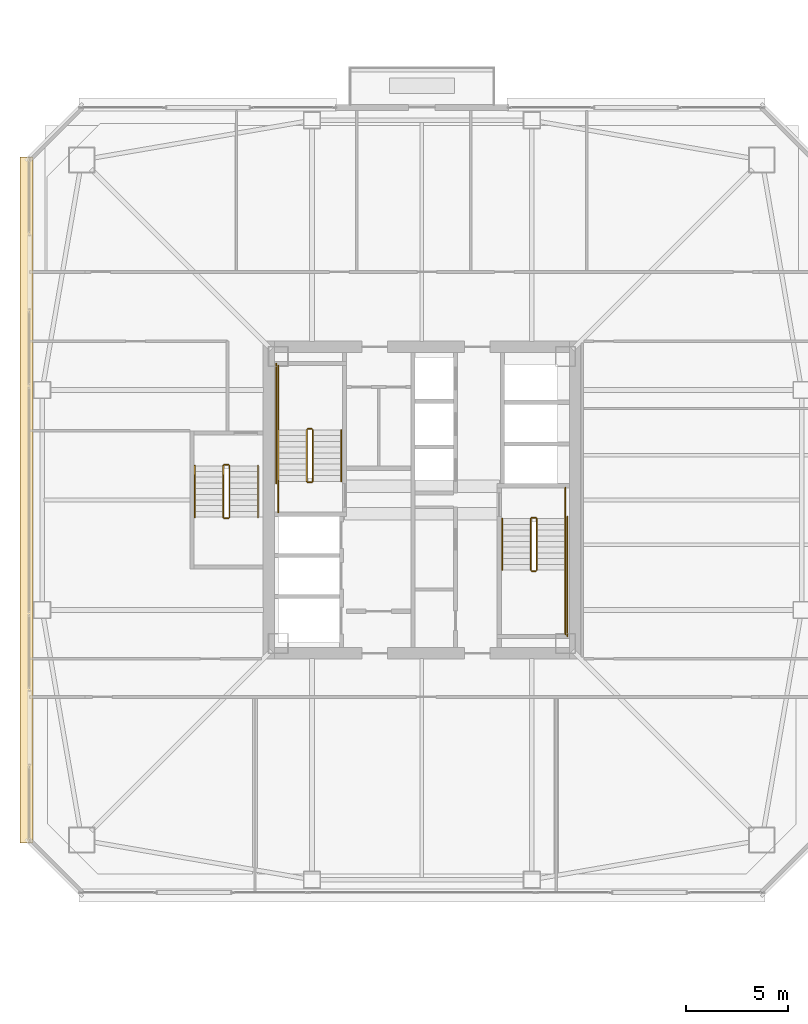
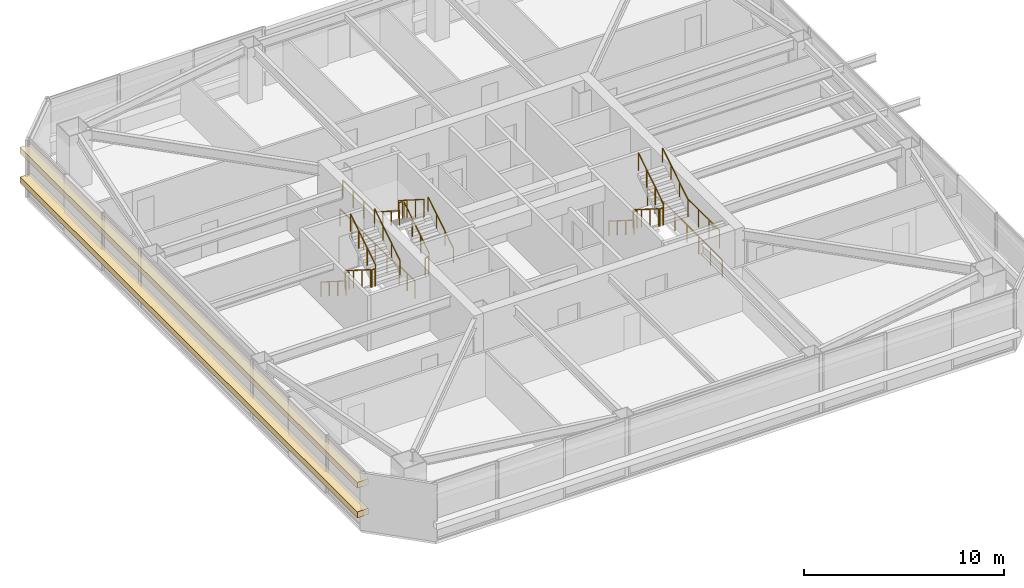
# One storey, part 43 of 46: 24 railings, 2 coverings.
"""IFC4 building model written with IfcOpenShell, lengths in metres."""

from ifc_helpers import new_model, si_unit, direction, frame, origin, origin_2d, place, context, subcontext, project, spatial, rectangle, extrude, material, layer, layer_set, type_object, element, save


model = new_model("IFC4")

# Units and contexts
model_context = context("Model", 3, precision=1e-05, world=origin(), true_north=direction((0.0, 1.0)))
body_context = subcontext(model_context, "Body", "Model", "MODEL_VIEW")
ifc_project = project(units=[si_unit("LENGTHUNIT", "METRE"), si_unit("AREAUNIT", "SQUARE_METRE"), si_unit("VOLUMEUNIT", "CUBIC_METRE"), si_unit("PLANEANGLEUNIT", "RADIAN"), si_unit("MASSUNIT", "GRAM", prefix="KILO")], contexts=[model_context])

# Site, building, storey
site_placement = place(None, origin())
site = spatial("IfcSite", under=ifc_project, at=site_placement, CompositionType="ELEMENT")
building_placement = place(site_placement, origin())
building = spatial("IfcBuilding", under=site, at=building_placement, Name="Tashvorn Skyway Center", CompositionType="ELEMENT")
storey_placement = place(building_placement, frame((0.0, 0.0, 139.25)))
storey = spatial("IfcBuildingStorey", under=building, at=storey_placement, Name="L37", CompositionType="ELEMENT", Elevation=139.25)

# Coverings
ifc_material_1 = material(Name="Perforated ceramic-coated bronze aluminium solar screen", Category="aluminium")
ifc_layer = layer(ifc_material_1, 0.85009765625)
ifc_layer_set = layer_set([ifc_layer], Name="Perforated ceramic-coated bronze aluminium solar screen")
covering_type = type_object("IfcCoveringType", Name="COV-SOLAR-BAND", PredefinedType="CLADDING", material=ifc_layer_set)
for number, where, z_axis, x_axis, name in (
    (1, (22.580078125, 32.0, 0.919921875), (0.0, 0.0, 1.0), (0.0, 1.0, 0.0), "L37 Perforated Ceramic-Metal Solar Screen Louvre Band West 1"),
    (2, (22.580078125, 32.0, 2.7197265625), (0.0, 0.0, 1.0), (0.0, 1.0, 0.0), "L37 Perforated Ceramic-Metal Solar Screen Louvre Band West 2"),
):
    element("IfcCovering", number, at=place(storey_placement, frame(where, z_axis=z_axis, x_axis=x_axis)), inside=storey, type_object=covering_type, Name=name, PredefinedType="CLADDING", context=body_context, shape_type="SweptSolid", body=[
        extrude(rectangle(XDim=33.679931640625, YDim=0.639892578125, at=origin_2d()), origin(), (0.0, 0.0, 1.0), 0.360107421875),
    ])

# Railings
ifc_material_2 = material(Name="Brushed stainless steel 316", Category="steel")
railing_type_1 = type_object("IfcRailingType", Name="RAIL-HAND-920", PredefinedType="HANDRAIL", material=ifc_material_2)
railing_1_placement = place(storey_placement, frame((38.050048828125, 32.919921875, 0.177490234375)))
element("IfcRailing", 3, at=railing_1_placement, inside=storey, type_object=railing_type_1, Name="L37 ST-T1-1 stair handrail 1", PredefinedType="HANDRAIL", context=body_context, shape_type="SweptSolid", body=[
    extrude(rectangle(XDim=0.048095703125, YDim=0.048095703125, at=origin_2d()), frame((0.0, 0.0, 0.8759765625), z_axis=(0.0, 0.84460694969, 0.535386869969), x_axis=(-1.0, 0.0, 0.0)), (0.0, 0.0, 1.0), 2.983642578125),
    extrude(rectangle(XDim=0.0419921875, YDim=0.0419921875, at=origin_2d()), origin(), (0.0, 0.0, 1.0), 0.851806640625),
    extrude(rectangle(XDim=0.0419921875, YDim=0.0419921875, at=origin_2d()), frame((0.0, 0.840087890625, 0.532470703125)), (0.0, 0.0, 1.0), 0.851806640625),
    extrude(rectangle(XDim=0.0419921875, YDim=0.0419921875, at=origin_2d()), frame((0.0, 1.679931640625, 1.06494140625)), (0.0, 0.0, 1.0), 0.851806640625),
    extrude(rectangle(XDim=0.0419921875, YDim=0.0419921875, at=origin_2d()), frame((0.0, 2.52001953125, 1.597412109375)), (0.0, 0.0, 1.0), 0.851806640625),
])
railing_2_placement = place(storey_placement, frame((34.949951171875, 35.43994140625, 1.952392578125)))
element("IfcRailing", 4, at=railing_2_placement, inside=storey, type_object=railing_type_1, Name="L37 ST-T1-1 stair handrail 2", PredefinedType="HANDRAIL", context=body_context, shape_type="SweptSolid", body=[
    extrude(rectangle(XDim=0.048095703125, YDim=0.048095703125, at=origin_2d()), frame((0.0, 0.0, 0.8759765625), z_axis=(0.0, -0.84456994832, 0.535445237532), x_axis=(1.0, 0.0, 0.0)), (0.0, 0.0, 1.0), 2.98388671875),
    extrude(rectangle(XDim=0.0419921875, YDim=0.0419921875, at=origin_2d()), origin(), (0.0, 0.0, 1.0), 0.851806640625),
    extrude(rectangle(XDim=0.0419921875, YDim=0.0419921875, at=origin_2d()), frame((0.0, -0.840087890625, 0.532470703125)), (0.0, 0.0, 1.0), 0.851806640625),
    extrude(rectangle(XDim=0.0419921875, YDim=0.0419921875, at=origin_2d()), frame((0.0, -1.679931640625, 1.065185546875)), (0.0, 0.0, 1.0), 0.851806640625),
    extrude(rectangle(XDim=0.0419921875, YDim=0.0419921875, at=origin_2d()), frame((0.0, -2.52001953125, 1.59765625)), (0.0, 0.0, 1.0), 0.851806640625),
])
railing_3_placement = place(storey_placement, frame((45.949951171875, 31.080078125, 0.177490234375)))
element("IfcRailing", 5, at=railing_3_placement, inside=storey, type_object=railing_type_1, Name="L37 ST-T1-2 stair handrail 1", PredefinedType="HANDRAIL", context=body_context, shape_type="SweptSolid", body=[
    extrude(rectangle(XDim=0.048095703125, YDim=0.048095703125, at=origin_2d()), frame((0.0, 0.0, 0.8759765625), z_axis=(0.0, -0.84460694969, 0.535386869969), x_axis=(1.0, 0.0, 0.0)), (0.0, 0.0, 1.0), 2.983642578125),
    extrude(rectangle(XDim=0.0419921875, YDim=0.0419921875, at=origin_2d()), origin(), (0.0, 0.0, 1.0), 0.851806640625),
    extrude(rectangle(XDim=0.0419921875, YDim=0.0419921875, at=origin_2d()), frame((0.0, -0.840087890625, 0.532470703125)), (0.0, 0.0, 1.0), 0.851806640625),
    extrude(rectangle(XDim=0.0419921875, YDim=0.0419921875, at=origin_2d()), frame((0.0, -1.679931640625, 1.06494140625)), (0.0, 0.0, 1.0), 0.851806640625),
    extrude(rectangle(XDim=0.0419921875, YDim=0.0419921875, at=origin_2d()), frame((0.0, -2.52001953125, 1.597412109375)), (0.0, 0.0, 1.0), 0.851806640625),
])
railing_4_placement = place(storey_placement, frame((49.050048828125, 28.56005859375, 1.952392578125)))
element("IfcRailing", 6, at=railing_4_placement, inside=storey, type_object=railing_type_1, Name="L37 ST-T1-2 stair handrail 2", PredefinedType="HANDRAIL", context=body_context, shape_type="SweptSolid", body=[
    extrude(rectangle(XDim=0.048095703125, YDim=0.048095703125, at=origin_2d()), frame((0.0, 0.0, 0.8759765625), z_axis=(0.0, 0.84456994832, 0.535445237532), x_axis=(-1.0, 0.0, 0.0)), (0.0, 0.0, 1.0), 2.98388671875),
    extrude(rectangle(XDim=0.0419921875, YDim=0.0419921875, at=origin_2d()), origin(), (0.0, 0.0, 1.0), 0.851806640625),
    extrude(rectangle(XDim=0.0419921875, YDim=0.0419921875, at=origin_2d()), frame((0.0, 0.840087890625, 0.532470703125)), (0.0, 0.0, 1.0), 0.851806640625),
    extrude(rectangle(XDim=0.0419921875, YDim=0.0419921875, at=origin_2d()), frame((0.0, 1.679931640625, 1.065185546875)), (0.0, 0.0, 1.0), 0.851806640625),
    extrude(rectangle(XDim=0.0419921875, YDim=0.0419921875, at=origin_2d()), frame((0.0, 2.52001953125, 1.59765625)), (0.0, 0.0, 1.0), 0.851806640625),
])
railing_5_placement = place(storey_placement, frame((30.85009765625, 33.679931640625, 0.177490234375)))
element("IfcRailing", 7, at=railing_5_placement, inside=storey, type_object=railing_type_1, Name="L37 ST-T1-3 stair handrail 1", PredefinedType="HANDRAIL", context=body_context, shape_type="SweptSolid", body=[
    extrude(rectangle(XDim=0.048095703125, YDim=0.048095703125, at=origin_2d()), frame((0.0, 0.0, 0.8759765625), z_axis=(0.0, -0.84460694969, 0.535386869969), x_axis=(1.0, 0.0, 0.0)), (0.0, 0.0, 1.0), 2.983642578125),
    extrude(rectangle(XDim=0.0419921875, YDim=0.0419921875, at=origin_2d()), origin(), (0.0, 0.0, 1.0), 0.851806640625),
    extrude(rectangle(XDim=0.0419921875, YDim=0.0419921875, at=origin_2d()), frame((0.0, -0.840087890625, 0.532470703125)), (0.0, 0.0, 1.0), 0.851806640625),
    extrude(rectangle(XDim=0.0419921875, YDim=0.0419921875, at=origin_2d()), frame((0.0, -1.679931640625, 1.06494140625)), (0.0, 0.0, 1.0), 0.851806640625),
    extrude(rectangle(XDim=0.0419921875, YDim=0.0419921875, at=origin_2d()), frame((0.0, -2.52001953125, 1.597412109375)), (0.0, 0.0, 1.0), 0.851806640625),
])
railing_6_placement = place(storey_placement, frame((33.949951171875, 31.159912109375, 1.952392578125)))
element("IfcRailing", 8, at=railing_6_placement, inside=storey, type_object=railing_type_1, Name="L37 ST-T1-3 stair handrail 2", PredefinedType="HANDRAIL", context=body_context, shape_type="SweptSolid", body=[
    extrude(rectangle(XDim=0.048095703125, YDim=0.048095703125, at=origin_2d()), frame((0.0, 0.0, 0.8759765625), z_axis=(0.0, 0.84456994832, 0.535445237532), x_axis=(-1.0, 0.0, 0.0)), (0.0, 0.0, 1.0), 2.98388671875),
    extrude(rectangle(XDim=0.0419921875, YDim=0.0419921875, at=origin_2d()), origin(), (0.0, 0.0, 1.0), 0.851806640625),
    extrude(rectangle(XDim=0.0419921875, YDim=0.0419921875, at=origin_2d()), frame((0.0, 0.840087890625, 0.532470703125)), (0.0, 0.0, 1.0), 0.851806640625),
    extrude(rectangle(XDim=0.0419921875, YDim=0.0419921875, at=origin_2d()), frame((0.0, 1.679931640625, 1.065185546875)), (0.0, 0.0, 1.0), 0.851806640625),
    extrude(rectangle(XDim=0.0419921875, YDim=0.0419921875, at=origin_2d()), frame((0.0, 2.52001953125, 1.59765625)), (0.0, 0.0, 1.0), 0.851806640625),
])
ifc_material_3 = material(Name="Painted galvanized steel S355", Category="steel")
railing_type_2 = type_object("IfcRailingType", Name="RAIL-STGUARD-1100", PredefinedType="GUARDRAIL", material=ifc_material_3)
railing_7_placement = place(storey_placement, frame((36.64990234375, 32.919921875, 0.177490234375)))
element("IfcRailing", 9, at=railing_7_placement, inside=storey, type_object=railing_type_2, Name="L37 ST-T1-1 stair guard 1", PredefinedType="GUARDRAIL", context=body_context, shape_type="SweptSolid", body=[
    extrude(rectangle(XDim=0.048095703125, YDim=0.048095703125, at=origin_2d()), frame((0.0, 0.0, 1.076171875), z_axis=(0.0, 0.84460694969, 0.535386869969), x_axis=(-1.0, 0.0, 0.0)), (0.0, 0.0, 1.0), 2.983642578125),
    extrude(rectangle(XDim=0.0419921875, YDim=0.0419921875, at=origin_2d()), origin(), (0.0, 0.0, 1.0), 1.052001953125),
    extrude(rectangle(XDim=0.0419921875, YDim=0.0419921875, at=origin_2d()), frame((0.0, 0.840087890625, 0.532470703125)), (0.0, 0.0, 1.0), 1.052001953125),
    extrude(rectangle(XDim=0.0419921875, YDim=0.0419921875, at=origin_2d()), frame((0.0, 1.679931640625, 1.06494140625)), (0.0, 0.0, 1.0), 1.052001953125),
    extrude(rectangle(XDim=0.0419921875, YDim=0.0419921875, at=origin_2d()), frame((0.0, 2.52001953125, 1.597412109375)), (0.0, 0.0, 1.0), 1.052001953125),
])
railing_8_placement = place(storey_placement, frame((36.60009765625, 35.489990234375, 1.77490234375)))
element("IfcRailing", 10, at=railing_8_placement, inside=storey, type_object=railing_type_2, Name="L37 ST-T1-1 stair guard 2", PredefinedType="GUARDRAIL", context=body_context, shape_type="SweptSolid", body=[
    extrude(rectangle(XDim=0.048095703125, YDim=0.048095703125, at=origin_2d()), frame((0.0, 0.0, 1.076171875), z_axis=(-1.0, 0.0, 0.0), x_axis=(0.0, -1.0, 0.0)), (0.0, 0.0, 1.0), 0.2001953125),
    extrude(rectangle(XDim=0.0419921875, YDim=0.0419921875, at=origin_2d()), origin(), (0.0, 0.0, 1.0), 1.052001953125),
    extrude(rectangle(XDim=0.0419921875, YDim=0.0419921875, at=origin_2d()), frame((-0.2001953125, 0.0, 0.0)), (0.0, 0.0, 1.0), 1.052001953125),
])
railing_9_placement = place(storey_placement, frame((34.949951171875, 35.43994140625, 1.77490234375)))
element("IfcRailing", 11, at=railing_9_placement, inside=storey, type_object=railing_type_2, Name="L37 ST-T1-1 stair guard 3", PredefinedType="GUARDRAIL", context=body_context, shape_type="SweptSolid", body=[
    extrude(rectangle(XDim=0.048095703125, YDim=0.048095703125, at=origin_2d()), frame((0.0, 0.0, 1.076171875), z_axis=(0.0, 1.0, 0.0), x_axis=(-1.0, 0.0, 0.0)), (0.0, 0.0, 1.0), 3.16015625),
    extrude(rectangle(XDim=0.0419921875, YDim=0.0419921875, at=origin_2d()), origin(), (0.0, 0.0, 1.0), 1.052001953125),
    extrude(rectangle(XDim=0.0419921875, YDim=0.0419921875, at=origin_2d()), frame((0.0, 1.053466796875, 0.0)), (0.0, 0.0, 1.0), 1.052001953125),
    extrude(rectangle(XDim=0.0419921875, YDim=0.0419921875, at=origin_2d()), frame((0.0, 2.106689453125, 0.0)), (0.0, 0.0, 1.0), 1.052001953125),
    extrude(rectangle(XDim=0.0419921875, YDim=0.0419921875, at=origin_2d()), frame((0.0, 3.16015625, 0.0)), (0.0, 0.0, 1.0), 1.052001953125),
])
railing_10_placement = place(storey_placement, frame((36.35009765625, 35.43994140625, 1.952392578125)))
element("IfcRailing", 12, at=railing_10_placement, inside=storey, type_object=railing_type_2, Name="L37 ST-T1-1 stair guard 4", PredefinedType="GUARDRAIL", context=body_context, shape_type="SweptSolid", body=[
    extrude(rectangle(XDim=0.048095703125, YDim=0.048095703125, at=origin_2d()), frame((0.0, 0.0, 1.076171875), z_axis=(0.0, -0.84456994832, 0.535445237532), x_axis=(1.0, 0.0, 0.0)), (0.0, 0.0, 1.0), 2.98388671875),
    extrude(rectangle(XDim=0.0419921875, YDim=0.0419921875, at=origin_2d()), origin(), (0.0, 0.0, 1.0), 1.052001953125),
    extrude(rectangle(XDim=0.0419921875, YDim=0.0419921875, at=origin_2d()), frame((0.0, -0.840087890625, 0.532470703125)), (0.0, 0.0, 1.0), 1.052001953125),
    extrude(rectangle(XDim=0.0419921875, YDim=0.0419921875, at=origin_2d()), frame((0.0, -1.679931640625, 1.065185546875)), (0.0, 0.0, 1.0), 1.052001953125),
    extrude(rectangle(XDim=0.0419921875, YDim=0.0419921875, at=origin_2d()), frame((0.0, -2.52001953125, 1.59765625)), (0.0, 0.0, 1.0), 1.052001953125),
])
railing_11_placement = place(storey_placement, frame((36.60009765625, 32.8701171875, 0.0)))
element("IfcRailing", 13, at=railing_11_placement, inside=storey, type_object=railing_type_2, Name="L37 ST-T1-1 stair guard 5", PredefinedType="GUARDRAIL", context=body_context, shape_type="SweptSolid", body=[
    extrude(rectangle(XDim=0.048095703125, YDim=0.048095703125, at=origin_2d()), frame((0.0, 0.0, 1.076171875), z_axis=(-1.0, 0.0, 0.0), x_axis=(0.0, -1.0, 0.0)), (0.0, 0.0, 1.0), 0.2001953125),
    extrude(rectangle(XDim=0.0419921875, YDim=0.0419921875, at=origin_2d()), origin(), (0.0, 0.0, 1.0), 1.052001953125),
    extrude(rectangle(XDim=0.0419921875, YDim=0.0419921875, at=origin_2d()), frame((-0.2001953125, 0.0, 0.0)), (0.0, 0.0, 1.0), 1.052001953125),
])
railing_12_placement = place(storey_placement, frame((34.949951171875, 31.39990234375, 0.0)))
element("IfcRailing", 14, at=railing_12_placement, inside=storey, type_object=railing_type_2, Name="L37 ST-T1-1 stair guard 6", PredefinedType="GUARDRAIL", context=body_context, shape_type="SweptSolid", body=[
    extrude(rectangle(XDim=0.048095703125, YDim=0.048095703125, at=origin_2d()), frame((0.0, 0.0, 1.076171875), z_axis=(0.0, 1.0, 0.0), x_axis=(-1.0, 0.0, 0.0)), (0.0, 0.0, 1.0), 1.52001953125),
    extrude(rectangle(XDim=0.0419921875, YDim=0.0419921875, at=origin_2d()), origin(), (0.0, 0.0, 1.0), 1.052001953125),
    extrude(rectangle(XDim=0.0419921875, YDim=0.0419921875, at=origin_2d()), frame((0.0, 0.760009765625, 0.0)), (0.0, 0.0, 1.0), 1.052001953125),
    extrude(rectangle(XDim=0.0419921875, YDim=0.0419921875, at=origin_2d()), frame((0.0, 1.52001953125, 0.0)), (0.0, 0.0, 1.0), 1.052001953125),
])
railing_13_placement = place(storey_placement, frame((34.85009765625, 32.820068359375, 0.0)))
element("IfcRailing", 15, at=railing_13_placement, inside=storey, type_object=railing_type_2, Name="L37 ST-T1-1 stair guard 7", PredefinedType="GUARDRAIL", context=body_context, shape_type="SweptSolid", body=[
    extrude(rectangle(XDim=0.048095703125, YDim=0.048095703125, at=origin_2d()), frame((0.0, 0.0, 1.076171875), z_axis=(0.0, 1.0, 0.0), x_axis=(-1.0, 0.0, 0.0)), (0.0, 0.0, 1.0), 5.8798828125),
    extrude(rectangle(XDim=0.0419921875, YDim=0.0419921875, at=origin_2d()), origin(), (0.0, 0.0, 1.0), 1.052001953125),
    extrude(rectangle(XDim=0.0419921875, YDim=0.0419921875, at=origin_2d()), frame((0.0, 1.176025390625, 0.0)), (0.0, 0.0, 1.0), 1.052001953125),
    extrude(rectangle(XDim=0.0419921875, YDim=0.0419921875, at=origin_2d()), frame((0.0, 2.35205078125, 0.0)), (0.0, 0.0, 1.0), 1.052001953125),
    extrude(rectangle(XDim=0.0419921875, YDim=0.0419921875, at=origin_2d()), frame((0.0, 3.52783203125, 0.0)), (0.0, 0.0, 1.0), 1.052001953125),
    extrude(rectangle(XDim=0.0419921875, YDim=0.0419921875, at=origin_2d()), frame((0.0, 4.703857421875, 0.0)), (0.0, 0.0, 1.0), 1.052001953125),
    extrude(rectangle(XDim=0.0419921875, YDim=0.0419921875, at=origin_2d()), frame((0.0, 5.8798828125, 0.0)), (0.0, 0.0, 1.0), 1.052001953125),
])
railing_14_placement = place(storey_placement, frame((47.35009765625, 31.080078125, 0.177490234375)))
element("IfcRailing", 16, at=railing_14_placement, inside=storey, type_object=railing_type_2, Name="L37 ST-T1-2 stair guard 1", PredefinedType="GUARDRAIL", context=body_context, shape_type="SweptSolid", body=[
    extrude(rectangle(XDim=0.048095703125, YDim=0.048095703125, at=origin_2d()), frame((0.0, 0.0, 1.076171875), z_axis=(0.0, -0.84460694969, 0.535386869969), x_axis=(1.0, 0.0, 0.0)), (0.0, 0.0, 1.0), 2.983642578125),
    extrude(rectangle(XDim=0.0419921875, YDim=0.0419921875, at=origin_2d()), origin(), (0.0, 0.0, 1.0), 1.052001953125),
    extrude(rectangle(XDim=0.0419921875, YDim=0.0419921875, at=origin_2d()), frame((0.0, -0.840087890625, 0.532470703125)), (0.0, 0.0, 1.0), 1.052001953125),
    extrude(rectangle(XDim=0.0419921875, YDim=0.0419921875, at=origin_2d()), frame((0.0, -1.679931640625, 1.06494140625)), (0.0, 0.0, 1.0), 1.052001953125),
    extrude(rectangle(XDim=0.0419921875, YDim=0.0419921875, at=origin_2d()), frame((0.0, -2.52001953125, 1.597412109375)), (0.0, 0.0, 1.0), 1.052001953125),
])
railing_15_placement = place(storey_placement, frame((47.39990234375, 28.510009765625, 1.77490234375)))
element("IfcRailing", 17, at=railing_15_placement, inside=storey, type_object=railing_type_2, Name="L37 ST-T1-2 stair guard 2", PredefinedType="GUARDRAIL", context=body_context, shape_type="SweptSolid", body=[
    extrude(rectangle(XDim=0.048095703125, YDim=0.048095703125, at=origin_2d()), frame((0.0, 0.0, 1.076171875), z_axis=(1.0, 0.0, 0.0), x_axis=(0.0, 1.0, 0.0)), (0.0, 0.0, 1.0), 0.2001953125),
    extrude(rectangle(XDim=0.0419921875, YDim=0.0419921875, at=origin_2d()), origin(), (0.0, 0.0, 1.0), 1.052001953125),
    extrude(rectangle(XDim=0.0419921875, YDim=0.0419921875, at=origin_2d()), frame((0.2001953125, 0.0, 0.0)), (0.0, 0.0, 1.0), 1.052001953125),
])
railing_16_placement = place(storey_placement, frame((49.050048828125, 28.56005859375, 1.77490234375)))
element("IfcRailing", 18, at=railing_16_placement, inside=storey, type_object=railing_type_2, Name="L37 ST-T1-2 stair guard 3", PredefinedType="GUARDRAIL", context=body_context, shape_type="SweptSolid", body=[
    extrude(rectangle(XDim=0.048095703125, YDim=0.048095703125, at=origin_2d()), frame((0.0, 0.0, 1.076171875), z_axis=(0.0, -1.0, 0.0), x_axis=(1.0, 0.0, 0.0)), (0.0, 0.0, 1.0), 3.16015625),
    extrude(rectangle(XDim=0.0419921875, YDim=0.0419921875, at=origin_2d()), origin(), (0.0, 0.0, 1.0), 1.052001953125),
    extrude(rectangle(XDim=0.0419921875, YDim=0.0419921875, at=origin_2d()), frame((0.0, -1.053466796875, 0.0)), (0.0, 0.0, 1.0), 1.052001953125),
    extrude(rectangle(XDim=0.0419921875, YDim=0.0419921875, at=origin_2d()), frame((0.0, -2.106689453125, 0.0)), (0.0, 0.0, 1.0), 1.052001953125),
    extrude(rectangle(XDim=0.0419921875, YDim=0.0419921875, at=origin_2d()), frame((0.0, -3.16015625, 0.0)), (0.0, 0.0, 1.0), 1.052001953125),
])
railing_17_placement = place(storey_placement, frame((47.64990234375, 28.56005859375, 1.952392578125)))
element("IfcRailing", 19, at=railing_17_placement, inside=storey, type_object=railing_type_2, Name="L37 ST-T1-2 stair guard 4", PredefinedType="GUARDRAIL", context=body_context, shape_type="SweptSolid", body=[
    extrude(rectangle(XDim=0.048095703125, YDim=0.048095703125, at=origin_2d()), frame((0.0, 0.0, 1.076171875), z_axis=(0.0, 0.84456994832, 0.535445237532), x_axis=(-1.0, 0.0, 0.0)), (0.0, 0.0, 1.0), 2.98388671875),
    extrude(rectangle(XDim=0.0419921875, YDim=0.0419921875, at=origin_2d()), origin(), (0.0, 0.0, 1.0), 1.052001953125),
    extrude(rectangle(XDim=0.0419921875, YDim=0.0419921875, at=origin_2d()), frame((0.0, 0.840087890625, 0.532470703125)), (0.0, 0.0, 1.0), 1.052001953125),
    extrude(rectangle(XDim=0.0419921875, YDim=0.0419921875, at=origin_2d()), frame((0.0, 1.679931640625, 1.065185546875)), (0.0, 0.0, 1.0), 1.052001953125),
    extrude(rectangle(XDim=0.0419921875, YDim=0.0419921875, at=origin_2d()), frame((0.0, 2.52001953125, 1.59765625)), (0.0, 0.0, 1.0), 1.052001953125),
])
railing_18_placement = place(storey_placement, frame((47.39990234375, 31.1298828125, 0.0)))
element("IfcRailing", 20, at=railing_18_placement, inside=storey, type_object=railing_type_2, Name="L37 ST-T1-2 stair guard 5", PredefinedType="GUARDRAIL", context=body_context, shape_type="SweptSolid", body=[
    extrude(rectangle(XDim=0.048095703125, YDim=0.048095703125, at=origin_2d()), frame((0.0, 0.0, 1.076171875), z_axis=(1.0, 0.0, 0.0), x_axis=(0.0, 1.0, 0.0)), (0.0, 0.0, 1.0), 0.2001953125),
    extrude(rectangle(XDim=0.0419921875, YDim=0.0419921875, at=origin_2d()), origin(), (0.0, 0.0, 1.0), 1.052001953125),
    extrude(rectangle(XDim=0.0419921875, YDim=0.0419921875, at=origin_2d()), frame((0.2001953125, 0.0, 0.0)), (0.0, 0.0, 1.0), 1.052001953125),
])
railing_19_placement = place(storey_placement, frame((49.050048828125, 32.60009765625, 0.0)))
element("IfcRailing", 21, at=railing_19_placement, inside=storey, type_object=railing_type_2, Name="L37 ST-T1-2 stair guard 6", PredefinedType="GUARDRAIL", context=body_context, shape_type="SweptSolid", body=[
    extrude(rectangle(XDim=0.048095703125, YDim=0.048095703125, at=origin_2d()), frame((0.0, 0.0, 1.076171875), z_axis=(0.0, -1.0, 0.0), x_axis=(1.0, 0.0, 0.0)), (0.0, 0.0, 1.0), 1.52001953125),
    extrude(rectangle(XDim=0.0419921875, YDim=0.0419921875, at=origin_2d()), origin(), (0.0, 0.0, 1.0), 1.052001953125),
    extrude(rectangle(XDim=0.0419921875, YDim=0.0419921875, at=origin_2d()), frame((0.0, -0.760009765625, 0.0)), (0.0, 0.0, 1.0), 1.052001953125),
    extrude(rectangle(XDim=0.0419921875, YDim=0.0419921875, at=origin_2d()), frame((0.0, -1.52001953125, 0.0)), (0.0, 0.0, 1.0), 1.052001953125),
])
railing_20_placement = place(storey_placement, frame((49.14990234375, 31.179931640625, 0.0)))
element("IfcRailing", 22, at=railing_20_placement, inside=storey, type_object=railing_type_2, Name="L37 ST-T1-2 stair guard 7", PredefinedType="GUARDRAIL", context=body_context, shape_type="SweptSolid", body=[
    extrude(rectangle(XDim=0.048095703125, YDim=0.048095703125, at=origin_2d()), frame((0.0, 0.0, 1.076171875), z_axis=(0.0, -1.0, 0.0), x_axis=(1.0, 0.0, 0.0)), (0.0, 0.0, 1.0), 5.8798828125),
    extrude(rectangle(XDim=0.0419921875, YDim=0.0419921875, at=origin_2d()), origin(), (0.0, 0.0, 1.0), 1.052001953125),
    extrude(rectangle(XDim=0.0419921875, YDim=0.0419921875, at=origin_2d()), frame((0.0, -1.176025390625, 0.0)), (0.0, 0.0, 1.0), 1.052001953125),
    extrude(rectangle(XDim=0.0419921875, YDim=0.0419921875, at=origin_2d()), frame((0.0, -2.35205078125, 0.0)), (0.0, 0.0, 1.0), 1.052001953125),
    extrude(rectangle(XDim=0.0419921875, YDim=0.0419921875, at=origin_2d()), frame((0.0, -3.52783203125, 0.0)), (0.0, 0.0, 1.0), 1.052001953125),
    extrude(rectangle(XDim=0.0419921875, YDim=0.0419921875, at=origin_2d()), frame((0.0, -4.703857421875, 0.0)), (0.0, 0.0, 1.0), 1.052001953125),
    extrude(rectangle(XDim=0.0419921875, YDim=0.0419921875, at=origin_2d()), frame((0.0, -5.8798828125, 0.0)), (0.0, 0.0, 1.0), 1.052001953125),
])
railing_21_placement = place(storey_placement, frame((32.25, 33.679931640625, 0.177490234375)))
element("IfcRailing", 23, at=railing_21_placement, inside=storey, type_object=railing_type_2, Name="L37 ST-T1-3 stair guard 1", PredefinedType="GUARDRAIL", context=body_context, shape_type="SweptSolid", body=[
    extrude(rectangle(XDim=0.048095703125, YDim=0.048095703125, at=origin_2d()), frame((0.0, 0.0, 1.076171875), z_axis=(0.0, -0.84460694969, 0.535386869969), x_axis=(1.0, 0.0, 0.0)), (0.0, 0.0, 1.0), 2.983642578125),
    extrude(rectangle(XDim=0.0419921875, YDim=0.0419921875, at=origin_2d()), origin(), (0.0, 0.0, 1.0), 1.052001953125),
    extrude(rectangle(XDim=0.0419921875, YDim=0.0419921875, at=origin_2d()), frame((0.0, -0.840087890625, 0.532470703125)), (0.0, 0.0, 1.0), 1.052001953125),
    extrude(rectangle(XDim=0.0419921875, YDim=0.0419921875, at=origin_2d()), frame((0.0, -1.679931640625, 1.06494140625)), (0.0, 0.0, 1.0), 1.052001953125),
    extrude(rectangle(XDim=0.0419921875, YDim=0.0419921875, at=origin_2d()), frame((0.0, -2.52001953125, 1.597412109375)), (0.0, 0.0, 1.0), 1.052001953125),
])
railing_22_placement = place(storey_placement, frame((32.300048828125, 31.110107421875, 1.77490234375)))
element("IfcRailing", 24, at=railing_22_placement, inside=storey, type_object=railing_type_2, Name="L37 ST-T1-3 stair guard 2", PredefinedType="GUARDRAIL", context=body_context, shape_type="SweptSolid", body=[
    extrude(rectangle(XDim=0.048095703125, YDim=0.048095703125, at=origin_2d()), frame((0.0, 0.0, 1.076171875), z_axis=(1.0, 0.0, 0.0), x_axis=(0.0, 1.0, 0.0)), (0.0, 0.0, 1.0), 0.199951171875),
    extrude(rectangle(XDim=0.0419921875, YDim=0.0419921875, at=origin_2d()), origin(), (0.0, 0.0, 1.0), 1.052001953125),
    extrude(rectangle(XDim=0.0419921875, YDim=0.0419921875, at=origin_2d()), frame((0.199951171875, 0.0, 0.0)), (0.0, 0.0, 1.0), 1.052001953125),
])
railing_23_placement = place(storey_placement, frame((32.550048828125, 31.159912109375, 1.952392578125)))
element("IfcRailing", 25, at=railing_23_placement, inside=storey, type_object=railing_type_2, Name="L37 ST-T1-3 stair guard 3", PredefinedType="GUARDRAIL", context=body_context, shape_type="SweptSolid", body=[
    extrude(rectangle(XDim=0.048095703125, YDim=0.048095703125, at=origin_2d()), frame((0.0, 0.0, 1.076171875), z_axis=(0.0, 0.84456994832, 0.535445237532), x_axis=(-1.0, 0.0, 0.0)), (0.0, 0.0, 1.0), 2.98388671875),
    extrude(rectangle(XDim=0.0419921875, YDim=0.0419921875, at=origin_2d()), origin(), (0.0, 0.0, 1.0), 1.052001953125),
    extrude(rectangle(XDim=0.0419921875, YDim=0.0419921875, at=origin_2d()), frame((0.0, 0.840087890625, 0.532470703125)), (0.0, 0.0, 1.0), 1.052001953125),
    extrude(rectangle(XDim=0.0419921875, YDim=0.0419921875, at=origin_2d()), frame((0.0, 1.679931640625, 1.065185546875)), (0.0, 0.0, 1.0), 1.052001953125),
    extrude(rectangle(XDim=0.0419921875, YDim=0.0419921875, at=origin_2d()), frame((0.0, 2.52001953125, 1.59765625)), (0.0, 0.0, 1.0), 1.052001953125),
])
railing_24_placement = place(storey_placement, frame((32.300048828125, 33.72998046875, 0.0)))
element("IfcRailing", 26, at=railing_24_placement, inside=storey, type_object=railing_type_2, Name="L37 ST-T1-3 stair guard 4", PredefinedType="GUARDRAIL", context=body_context, shape_type="SweptSolid", body=[
    extrude(rectangle(XDim=0.048095703125, YDim=0.048095703125, at=origin_2d()), frame((0.0, 0.0, 1.076171875), z_axis=(1.0, 0.0, 0.0), x_axis=(0.0, 1.0, 0.0)), (0.0, 0.0, 1.0), 0.199951171875),
    extrude(rectangle(XDim=0.0419921875, YDim=0.0419921875, at=origin_2d()), origin(), (0.0, 0.0, 1.0), 1.052001953125),
    extrude(rectangle(XDim=0.0419921875, YDim=0.0419921875, at=origin_2d()), frame((0.199951171875, 0.0, 0.0)), (0.0, 0.0, 1.0), 1.052001953125),
])

save(model, "model.ifc")
